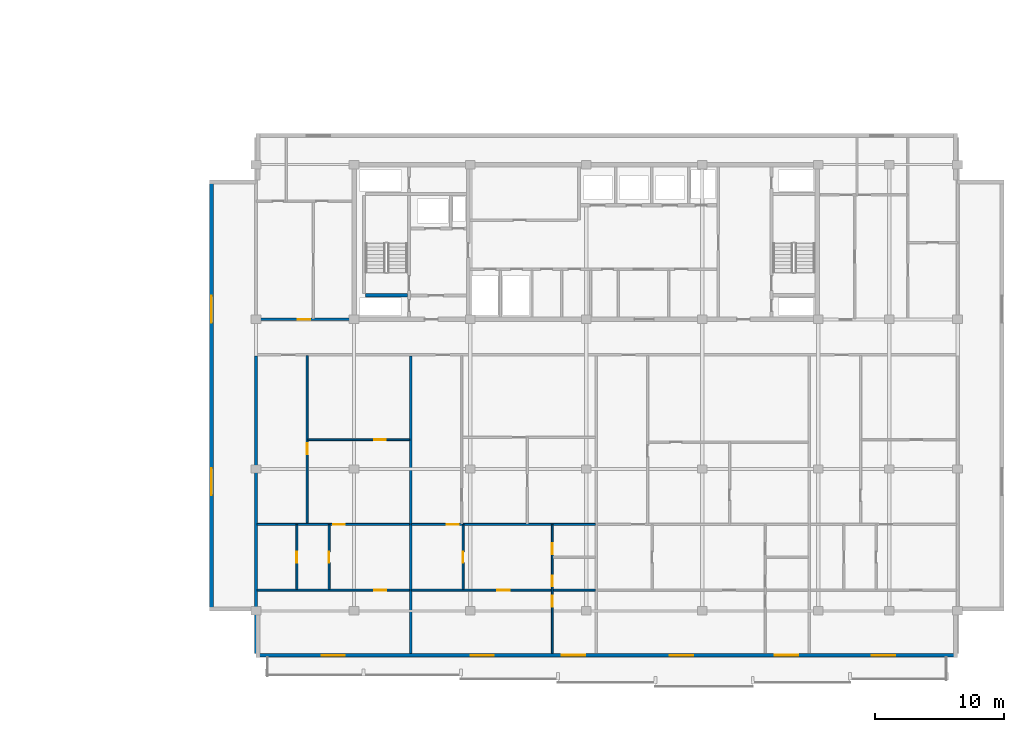
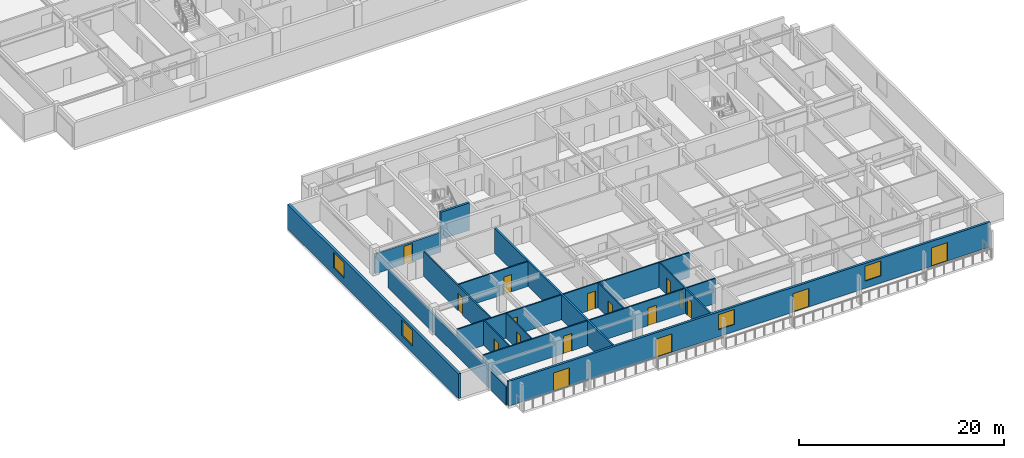
# One storey, part 4 of 21: 17 doors, 16 walls, 4 windows, 21 openings.
"""IFC4 building model written with IfcOpenShell, lengths in metres."""

from ifc_helpers import new_model, si_unit, direction, frame, frame_2d, origin, place, context, subcontext, project, spatial, rectangle, extrude, material, layer, layer_set, type_object, element, fill, save


model = new_model("IFC4")

# Units and contexts
model_context = context("Model", 3, precision=1e-05, world=origin(), true_north=direction((0.0, 1.0)))
body_context = subcontext(model_context, "Body", "Model", "MODEL_VIEW")
ifc_project = project(units=[si_unit("LENGTHUNIT", "METRE"), si_unit("AREAUNIT", "SQUARE_METRE"), si_unit("VOLUMEUNIT", "CUBIC_METRE"), si_unit("PLANEANGLEUNIT", "RADIAN"), si_unit("MASSUNIT", "GRAM", prefix="KILO")], contexts=[model_context])

# Site, building, storey
site_placement = place(None, origin())
site = spatial("IfcSite", under=ifc_project, at=site_placement, CompositionType="ELEMENT")
building_placement = place(site_placement, origin())
building = spatial("IfcBuilding", under=site, at=building_placement, Name="Korimba Cascade Residences", CompositionType="ELEMENT")
storey_placement = place(building_placement, frame((0.0, 0.0, 188.10009765625)))
storey = spatial("IfcBuildingStorey", under=building, at=storey_placement, Name="L54", CompositionType="ELEMENT", Elevation=188.10009765625)

# Wall, openings, doors, windows
ifc_material_1 = material(Name="Precast concrete C40/50", Category="concrete")
ifc_layer_1 = layer(ifc_material_1, 0.25)
ifc_layer_set_1 = layer_set([ifc_layer_1], Name="Precast concrete C40/50")
wall_type_1 = type_object("IfcWallType", Name="EW-LOG-250", PredefinedType="STANDARD", material=ifc_layer_set_1)
wall_1_placement = place(storey_placement, frame((74.5, -7.64990234375, 0.0), z_axis=(0.0, 0.0, 1.0), x_axis=(1.0, 0.0, 0.0)))
wall_1 = element("IfcWall", 1, at=wall_1_placement, inside=storey, type_object=wall_type_1, Name="L54 T2 Perimeter Stone Wall E00", PredefinedType="STANDARD", context=body_context, shape_type="SweptSolid", body=[
    extrude(rectangle(XDim=54.39990234375, YDim=0.25, at=frame_2d((27.199951171875, 0.0))), origin(), (0.0, 0.0, 1.0), 2.969970703125),
])
opening_1_placement = place(wall_1_placement, frame((5.091552734375, 0.0, 0.0)))
opening_1 = element("IfcOpeningElement", 2, at=opening_1_placement, cuts=wall_1, Name="Opening D-LG1", PredefinedType="OPENING", context=body_context, shape_type="SweptSolid", body=[
    extrude(rectangle(XDim=1.800048828125, YDim=2.199951171875, at=frame_2d((0.89990234375, 1.10009765625))), frame((0.0, 0.135009765625, 0.0), z_axis=(0.0, -1.0, 0.0), x_axis=(1.0, 0.0, 0.0)), (0.0, 0.0, 1.0), 0.27001953125),
])
opening_2_placement = place(wall_1_placement, frame((16.637451171875, 0.0, 0.0)))
opening_2 = element("IfcOpeningElement", 3, at=opening_2_placement, cuts=wall_1, Name="Opening D-LG1", PredefinedType="OPENING", context=body_context, shape_type="SweptSolid", body=[
    extrude(rectangle(XDim=1.800048828125, YDim=2.199951171875, at=frame_2d((0.89990234375, 1.10009765625))), frame((0.0, 0.135009765625, 0.0), z_axis=(0.0, -1.0, 0.0), x_axis=(1.0, 0.0, 0.0)), (0.0, 0.0, 1.0), 0.27001953125),
])
opening_3_placement = place(wall_1_placement, frame((23.7216796875, 0.0, 0.85009765625)))
opening_3 = element("IfcOpeningElement", 4, at=opening_3_placement, cuts=wall_1, Name="Opening W-02", PredefinedType="OPENING", context=body_context, shape_type="SweptSolid", body=[
    extrude(rectangle(XDim=1.800048828125, YDim=1.800048828125, at=frame_2d((0.89990234375, 0.89990234375))), frame((0.0, 0.135009765625, 0.0), z_axis=(0.0, -1.0, 0.0), x_axis=(1.0, 0.0, 0.0)), (0.0, 0.0, 1.0), 0.27001953125),
])
opening_4_placement = place(wall_1_placement, frame((32.099853515625, 0.0, 0.0)))
opening_4 = element("IfcOpeningElement", 5, at=opening_4_placement, cuts=wall_1, Name="Opening D-LG1", PredefinedType="OPENING", context=body_context, shape_type="SweptSolid", body=[
    extrude(rectangle(XDim=1.800048828125, YDim=2.199951171875, at=frame_2d((0.89990234375, 1.10009765625))), frame((0.0, 0.135009765625, 0.0), z_axis=(0.0, -1.0, 0.0), x_axis=(1.0, 0.0, 0.0)), (0.0, 0.0, 1.0), 0.27001953125),
])
opening_5_placement = place(wall_1_placement, frame((40.23828125, 0.0, 0.85009765625)))
opening_5 = element("IfcOpeningElement", 6, at=opening_5_placement, cuts=wall_1, Name="Opening W-02", PredefinedType="OPENING", context=body_context, shape_type="SweptSolid", body=[
    extrude(rectangle(XDim=1.800048828125, YDim=1.800048828125, at=frame_2d((0.89990234375, 0.89990234375))), frame((0.0, 0.135009765625, 0.0), z_axis=(0.0, -1.0, 0.0), x_axis=(1.0, 0.0, 0.0)), (0.0, 0.0, 1.0), 0.27001953125),
])
opening_6_placement = place(wall_1_placement, frame((47.754150390625, 0.0, 0.0)))
opening_6 = element("IfcOpeningElement", 7, at=opening_6_placement, cuts=wall_1, Name="Opening D-LG1", PredefinedType="OPENING", context=body_context, shape_type="SweptSolid", body=[
    extrude(rectangle(XDim=1.800048828125, YDim=2.199951171875, at=frame_2d((0.89990234375, 1.10009765625))), frame((0.0, 0.135009765625, 0.0), z_axis=(0.0, -1.0, 0.0), x_axis=(1.0, 0.0, 0.0)), (0.0, 0.0, 1.0), 0.27001953125),
])
ifc_material_2 = material(Name="Glazed Aluminium Loggia Sliding Door", Category="aluminium")
door_type_1 = type_object("IfcDoorType", Name="DR-EXT-LOG", OperationType="NOTDEFINED", PredefinedType="DOOR", material=ifc_material_2)
door_1_placement = place(opening_1_placement, origin())
door_1 = element("IfcDoor", 8, at=door_1_placement, inside=storey, type_object=door_type_1, Name="L54 T2 Loggia Sliding Door 3", OperationType="SLIDING_TO_RIGHT", OverallHeight=2.199951171875, OverallWidth=1.800048828125, PredefinedType="DOOR", context=body_context, shape_type="SweptSolid", body=[
    extrude(rectangle(XDim=1.800048828125, YDim=2.199951171875, at=frame_2d((0.89990234375, 1.10009765625))), frame((0.0, 0.02490234375, 0.0), z_axis=(0.0, -1.0, 0.0), x_axis=(1.0, 0.0, 0.0)), (0.0, 0.0, 1.0), 0.050048828125),
])
fill(opening_1, door_1)
door_2_placement = place(opening_2_placement, origin())
door_2 = element("IfcDoor", 9, at=door_2_placement, inside=storey, type_object=door_type_1, Name="L54 T2 Loggia Sliding Door 4", OperationType="SLIDING_TO_RIGHT", OverallHeight=2.199951171875, OverallWidth=1.800048828125, PredefinedType="DOOR", context=body_context, shape_type="SweptSolid", body=[
    extrude(rectangle(XDim=1.800048828125, YDim=2.199951171875, at=frame_2d((0.89990234375, 1.10009765625))), frame((0.0, 0.02490234375, 0.0), z_axis=(0.0, -1.0, 0.0), x_axis=(1.0, 0.0, 0.0)), (0.0, 0.0, 1.0), 0.050048828125),
])
fill(opening_2, door_2)
door_3_placement = place(opening_4_placement, origin())
door_3 = element("IfcDoor", 10, at=door_3_placement, inside=storey, type_object=door_type_1, Name="L54 T2 Loggia Sliding Door 6", OperationType="SLIDING_TO_RIGHT", OverallHeight=2.199951171875, OverallWidth=1.800048828125, PredefinedType="DOOR", context=body_context, shape_type="SweptSolid", body=[
    extrude(rectangle(XDim=1.800048828125, YDim=2.199951171875, at=frame_2d((0.89990234375, 1.10009765625))), frame((0.0, 0.02490234375, 0.0), z_axis=(0.0, -1.0, 0.0), x_axis=(1.0, 0.0, 0.0)), (0.0, 0.0, 1.0), 0.050048828125),
])
fill(opening_4, door_3)
door_4_placement = place(opening_6_placement, origin())
door_4 = element("IfcDoor", 11, at=door_4_placement, inside=storey, type_object=door_type_1, Name="L54 T2 Loggia Sliding Door 8", OperationType="SLIDING_TO_RIGHT", OverallHeight=2.199951171875, OverallWidth=1.800048828125, PredefinedType="DOOR", context=body_context, shape_type="SweptSolid", body=[
    extrude(rectangle(XDim=1.800048828125, YDim=2.199951171875, at=frame_2d((0.89990234375, 1.10009765625))), frame((0.0, 0.02490234375, 0.0), z_axis=(0.0, -1.0, 0.0), x_axis=(1.0, 0.0, 0.0)), (0.0, 0.0, 1.0), 0.050048828125),
])
fill(opening_6, door_4)
ifc_material_3 = material(Name="Double-Glazed Aluminium Window", Category="aluminium")
window_type_1 = type_object("IfcWindowType", Name="WIN-BED-1800", PartitioningType="SINGLE_PANEL", PredefinedType="WINDOW", material=ifc_material_3)
window_1_placement = place(opening_3_placement, origin())
window_1 = element("IfcWindow", 12, at=window_1_placement, inside=storey, type_object=window_type_1, Name="L54 T2 South Facade Window 5", OverallHeight=1.800048828125, OverallWidth=1.800048828125, PartitioningType="SINGLE_PANEL", PredefinedType="WINDOW", context=body_context, shape_type="SweptSolid", body=[
    extrude(rectangle(XDim=1.800048828125, YDim=1.800048828125, at=frame_2d((0.89990234375, 0.89990234375))), frame((0.0, 0.030029296875, 0.0), z_axis=(0.0, -1.0, 0.0), x_axis=(1.0, 0.0, 0.0)), (0.0, 0.0, 1.0), 0.06005859375),
])
fill(opening_3, window_1)
window_2_placement = place(opening_5_placement, origin())
window_2 = element("IfcWindow", 13, at=window_2_placement, inside=storey, type_object=window_type_1, Name="L54 T2 South Facade Window 7", OverallHeight=1.800048828125, OverallWidth=1.800048828125, PartitioningType="SINGLE_PANEL", PredefinedType="WINDOW", context=body_context, shape_type="SweptSolid", body=[
    extrude(rectangle(XDim=1.800048828125, YDim=1.800048828125, at=frame_2d((0.89990234375, 0.89990234375))), frame((0.0, 0.030029296875, 0.0), z_axis=(0.0, -1.0, 0.0), x_axis=(1.0, 0.0, 0.0)), (0.0, 0.0, 1.0), 0.06005859375),
])
fill(opening_5, window_2)

# Wall, openings, windows
ifc_layer_2 = layer(ifc_material_1, 0.300048828125)
ifc_layer_set_2 = layer_set([ifc_layer_2], Name="Precast concrete C40/50")
wall_type_2 = type_object("IfcWallType", Name="EW-STONE-300", PredefinedType="STANDARD", material=ifc_layer_set_2)
wall_2_placement = place(storey_placement, frame((71.050048828125, 29.199951171875, 0.0), z_axis=(0.0, 0.0, 1.0), x_axis=(0.0, -1.0, 0.0)))
wall_2 = element("IfcWall", 14, at=wall_2_placement, inside=storey, type_object=wall_type_2, Name="L54 T2 Perimeter Stone Wall E09", PredefinedType="STANDARD", context=body_context, shape_type="SweptSolid", body=[
    extrude(rectangle(XDim=33.39990234375, YDim=0.300048828125, at=frame_2d((16.699951171875, 0.0))), origin(), (0.0, 0.0, 1.0), 2.969970703125),
])
opening_7_placement = place(wall_2_placement, frame((8.969970703125, 0.0, 0.85009765625)))
opening_7 = element("IfcOpeningElement", 15, at=opening_7_placement, cuts=wall_2, Name="Opening W-03", PredefinedType="OPENING", context=body_context, shape_type="SweptSolid", body=[
    extrude(rectangle(XDim=2.10009765625, YDim=1.85009765625, at=frame_2d((1.050048828125, 0.925048828125))), frame((0.0, 0.16015625, 0.0), z_axis=(0.0, -1.0, 0.0), x_axis=(1.0, 0.0, 0.0)), (0.0, 0.0, 1.0), 0.320068359375),
])
opening_8_placement = place(wall_2_placement, frame((22.330078125, 0.0, 0.85009765625)))
opening_8 = element("IfcOpeningElement", 16, at=opening_8_placement, cuts=wall_2, Name="Opening W-03", PredefinedType="OPENING", context=body_context, shape_type="SweptSolid", body=[
    extrude(rectangle(XDim=2.10009765625, YDim=1.85009765625, at=frame_2d((1.050048828125, 0.925048828125))), frame((0.0, 0.16015625, 0.0), z_axis=(0.0, -1.0, 0.0), x_axis=(1.0, 0.0, 0.0)), (0.0, 0.0, 1.0), 0.320068359375),
])
window_type_2 = type_object("IfcWindowType", Name="WIN-CRN-2100", PartitioningType="DOUBLE_PANEL_HORIZONTAL", PredefinedType="WINDOW", material=ifc_material_3)
window_3_placement = place(opening_7_placement, origin())
window_3 = element("IfcWindow", 17, at=window_3_placement, inside=storey, type_object=window_type_2, Name="L54 T2 End View Window 9.1", OverallHeight=1.85009765625, OverallWidth=2.10009765625, PartitioningType="DOUBLE_PANEL_HORIZONTAL", PredefinedType="WINDOW", context=body_context, shape_type="SweptSolid", body=[
    extrude(rectangle(XDim=2.10009765625, YDim=1.85009765625, at=frame_2d((1.050048828125, 0.925048828125))), frame((0.0, 0.030029296875, 0.0), z_axis=(0.0, -1.0, 0.0), x_axis=(1.0, 0.0, 0.0)), (0.0, 0.0, 1.0), 0.06005859375),
])
fill(opening_7, window_3)
window_4_placement = place(opening_8_placement, origin())
window_4 = element("IfcWindow", 18, at=window_4_placement, inside=storey, type_object=window_type_2, Name="L54 T2 End View Window 9.2", OverallHeight=1.85009765625, OverallWidth=2.10009765625, PartitioningType="DOUBLE_PANEL_HORIZONTAL", PredefinedType="WINDOW", context=body_context, shape_type="SweptSolid", body=[
    extrude(rectangle(XDim=2.10009765625, YDim=1.85009765625, at=frame_2d((1.050048828125, 0.925048828125))), frame((0.0, 0.030029296875, 0.0), z_axis=(0.0, -1.0, 0.0), x_axis=(1.0, 0.0, 0.0)), (0.0, 0.0, 1.0), 0.06005859375),
])
fill(opening_8, window_4)

# Wall, opening, door
ifc_layer_3 = layer(ifc_material_1, 0.199951171875)
ifc_layer_set_3 = layer_set([ifc_layer_3], Name="Precast concrete C40/50")
wall_type_3 = type_object("IfcWallType", Name="WAL-IT-200", PredefinedType="PARTITIONING", material=ifc_layer_set_3)
wall_3_placement = place(storey_placement, frame((74.5, 18.39990234375, 0.0), z_axis=(0.0, 0.0, 1.0), x_axis=(1.0, 0.0, 0.0)))
wall_3 = element("IfcWall", 19, at=wall_3_placement, inside=storey, type_object=wall_type_3, Name="L54 Partition Wall WAL-L54-T2-FW-S", PredefinedType="PARTITIONING", context=body_context, shape_type="SweptSolid", body=[
    extrude(rectangle(XDim=7.449951171875, YDim=0.199951171875, at=frame_2d((3.72509765625, 0.0))), origin(), (0.0, 0.0, 1.0), 2.357666015625),
])
opening_9_placement = place(wall_3_placement, frame((3.25, 0.0, 0.0)))
opening_9 = element("IfcOpeningElement", 20, at=opening_9_placement, cuts=wall_3, Name="Opening D-UN1", PredefinedType="OPENING", context=body_context, shape_type="SweptSolid", body=[
    extrude(rectangle(XDim=0.949951171875, YDim=2.14990234375, at=frame_2d((0.47509765625, 1.074951171875))), frame((0.0, 0.10986328125, 0.0), z_axis=(0.0, -1.0, 0.0), x_axis=(1.0, 0.0, 0.0)), (0.0, 0.0, 1.0), 0.219970703125),
])
ifc_material_4 = material(Name="Fire-Rated Hardwood Apartment Entrance Door", Category="wood")
door_type_2 = type_object("IfcDoorType", Name="DR-FD60-950", OperationType="NOTDEFINED", PredefinedType="DOOR", material=ifc_material_4)
door_5_placement = place(opening_9_placement, origin())
door_5 = element("IfcDoor", 21, at=door_5_placement, inside=storey, type_object=door_type_2, Name="L54-T2-FW Entrance Door", OperationType="SINGLE_SWING_LEFT", OverallHeight=2.14990234375, OverallWidth=0.949951171875, PredefinedType="DOOR", context=body_context, shape_type="SweptSolid", body=[
    extrude(rectangle(XDim=0.949951171875, YDim=2.14990234375, at=frame_2d((0.47509765625, 1.074951171875))), frame((0.0, 0.02490234375, 0.0), z_axis=(0.0, -1.0, 0.0), x_axis=(1.0, 0.0, 0.0)), (0.0, 0.0, 1.0), 0.050048828125),
])
fill(opening_9, door_5)

# Walls
wall_4_placement = place(storey_placement, frame((74.5, -7.5, 0.0), z_axis=(0.0, 0.0, 1.0), x_axis=(0.0, 1.0, 0.0)))
element("IfcWall", 22, at=wall_4_placement, inside=storey, type_object=wall_type_3, Name="L54 Partition Wall WAL-L54-T2-BNDWL", PredefinedType="PARTITIONING", context=body_context, shape_type="SweptSolid", body=[
    extrude(rectangle(XDim=23.070068359375, YDim=0.199951171875, at=frame_2d((11.53515625, 0.0))), origin(), (0.0, 0.0, 1.0), 2.2001953125),
])
wall_5_placement = place(storey_placement, frame((86.4833984375, -7.5, 0.0), z_axis=(0.0, 0.0, 1.0), x_axis=(0.0, 1.0, 0.0)))
element("IfcWall", 23, at=wall_5_placement, inside=storey, type_object=wall_type_3, Name="L54 Partition Wall WAL-L54-T2-DEM-1", PredefinedType="PARTITIONING", context=body_context, shape_type="SweptSolid", body=[
    extrude(rectangle(XDim=23.070068359375, YDim=0.199951171875, at=frame_2d((11.53515625, 0.0))), origin(), (0.0, 0.0, 1.0), 2.969970703125),
])

# Wall, opening, door
ifc_material_5 = material(Name="Insulated Acoustic Stud Partition", Category="gypsum")
ifc_layer_4 = layer(ifc_material_5, 0.14990234375)
ifc_layer_set_4 = layer_set([ifc_layer_4], Name="Insulated Acoustic Stud Partition")
wall_type_4 = type_object("IfcWallType", Name="WAL-PART-150", PredefinedType="PARTITIONING", material=ifc_layer_set_4)
wall_6_placement = place(storey_placement, frame((78.530029296875, 9.06494140625, 0.0), z_axis=(0.0, 0.0, 1.0), x_axis=(1.0, 0.0, 0.0)))
wall_6 = element("IfcWall", 24, at=wall_6_placement, inside=storey, type_object=wall_type_4, Name="L54 Partition Wall WAL-L54-T2-U01-FMH", PredefinedType="PARTITIONING", context=body_context, shape_type="SweptSolid", body=[
    extrude(rectangle(XDim=7.873291015625, YDim=0.14990234375, at=frame_2d((3.9365234375, 0.0))), origin(), (0.0, 0.0, 1.0), 2.969970703125),
])
opening_10_placement = place(wall_6_placement, frame((5.1328125, 0.0, 0.0)))
opening_10 = element("IfcOpeningElement", 25, at=opening_10_placement, cuts=wall_6, Name="Opening D-IN2", PredefinedType="OPENING", context=body_context, shape_type="SweptSolid", body=[
    extrude(rectangle(XDim=0.8798828125, YDim=2.06005859375, at=frame_2d((0.43994140625, 1.030029296875))), frame((0.0, 0.0849609375, 0.0), z_axis=(0.0, -1.0, 0.0), x_axis=(1.0, 0.0, 0.0)), (0.0, 0.0, 1.0), 0.169921875),
])
ifc_material_6 = material(Name="Acoustic Timber Bedroom Door", Category="wood")
door_type_3 = type_object("IfcDoorType", Name="DR-INT-880", OperationType="NOTDEFINED", PredefinedType="DOOR", material=ifc_material_6)
door_6_placement = place(opening_10_placement, origin())
door_6 = element("IfcDoor", 26, at=door_6_placement, inside=storey, type_object=door_type_3, Name="L54-T2-U01 Library Salon Door", OperationType="SINGLE_SWING_RIGHT", OverallHeight=2.06005859375, OverallWidth=0.8798828125, PredefinedType="DOOR", context=body_context, shape_type="SweptSolid", body=[
    extrude(rectangle(XDim=0.8798828125, YDim=2.06005859375, at=frame_2d((0.43994140625, 1.030029296875))), frame((0.0, 0.02490234375, 0.0), z_axis=(0.0, -1.0, 0.0), x_axis=(1.0, 0.0, 0.0)), (0.0, 0.0, 1.0), 0.050048828125),
])
fill(opening_10, door_6)

wall_7_placement = place(storey_placement, frame((78.469970703125, 2.5400390625, 0.0), z_axis=(0.0, 0.0, 1.0), x_axis=(0.0, 1.0, 0.0)))
wall_7 = element("IfcWall", 27, at=wall_7_placement, inside=storey, type_object=wall_type_4, Name="L54 Partition Wall WAL-L54-T2-U01-FV", PredefinedType="PARTITIONING", context=body_context, shape_type="SweptSolid", body=[
    extrude(rectangle(XDim=13.050048828125, YDim=0.14990234375, at=frame_2d((6.52490234375, 0.0))), origin(), (0.0, 0.0, 1.0), 2.969970703125),
])
opening_11_placement = place(wall_7_placement, frame((5.39501953125, 0.0, 0.0)))
opening_11 = element("IfcOpeningElement", 28, at=opening_11_placement, cuts=wall_7, Name="Opening D-IN2", PredefinedType="OPENING", context=body_context, shape_type="SweptSolid", body=[
    extrude(rectangle(XDim=0.8798828125, YDim=2.06005859375, at=frame_2d((0.43994140625, 1.030029296875))), frame((0.0, 0.0849609375, 0.0), z_axis=(0.0, -1.0, 0.0), x_axis=(1.0, 0.0, 0.0)), (0.0, 0.0, 1.0), 0.169921875),
])
door_7_placement = place(opening_11_placement, origin())
door_7 = element("IfcDoor", 29, at=door_7_placement, inside=storey, type_object=door_type_3, Name="L54-T2-U01 Media Lounge Door", OperationType="SINGLE_SWING_LEFT", OverallHeight=2.06005859375, OverallWidth=0.8798828125, PredefinedType="DOOR", context=body_context, shape_type="SweptSolid", body=[
    extrude(rectangle(XDim=0.8798828125, YDim=2.06005859375, at=frame_2d((0.43994140625, 1.030029296875))), frame((0.0, 0.02490234375, 0.0), z_axis=(0.0, -1.0, 0.0), x_axis=(1.0, 0.0, 0.0)), (0.0, 0.0, 1.0), 0.050048828125),
])
fill(opening_11, door_7)

wall_8_placement = place(storey_placement, frame((77.663330078125, -2.5400390625, 0.0), z_axis=(0.0, 0.0, 1.0), x_axis=(0.0, 1.0, 0.0)))
wall_8 = element("IfcWall", 30, at=wall_8_placement, inside=storey, type_object=wall_type_4, Name="L54 Partition Wall WAL-L54-T2-U01-CLS", PredefinedType="PARTITIONING", context=body_context, shape_type="SweptSolid", body=[
    extrude(rectangle(XDim=5.0, YDim=0.14990234375, at=frame_2d((2.5, 0.0))), origin(), (0.0, 0.0, 1.0), 2.969970703125),
])
opening_12_placement = place(wall_8_placement, frame((2.080078125, 0.0, 0.0)))
opening_12 = element("IfcOpeningElement", 31, at=opening_12_placement, cuts=wall_8, Name="Opening D-BT1", PredefinedType="OPENING", context=body_context, shape_type="SweptSolid", body=[
    extrude(rectangle(XDim=0.840087890625, YDim=2.0400390625, at=frame_2d((0.419921875, 1.02001953125))), frame((0.0, 0.0849609375, 0.0), z_axis=(0.0, -1.0, 0.0), x_axis=(1.0, 0.0, 0.0)), (0.0, 0.0, 1.0), 0.169921875),
])
ifc_material_7 = material(Name="Moisture-Resistant Bathroom Timber Door", Category="wood")
door_type_4 = type_object("IfcDoorType", Name="DR-INT-850", OperationType="NOTDEFINED", PredefinedType="DOOR", material=ifc_material_7)
door_8_placement = place(opening_12_placement, origin())
door_8 = element("IfcDoor", 32, at=door_8_placement, inside=storey, type_object=door_type_4, Name="L54-T2-U01 Closet Door", OperationType="SINGLE_SWING_RIGHT", OverallHeight=2.0400390625, OverallWidth=0.840087890625, PredefinedType="DOOR", context=body_context, shape_type="SweptSolid", body=[
    extrude(rectangle(XDim=0.840087890625, YDim=2.0400390625, at=frame_2d((0.419921875, 1.02001953125))), frame((0.0, 0.02490234375, 0.0), z_axis=(0.0, -1.0, 0.0), x_axis=(1.0, 0.0, 0.0)), (0.0, 0.0, 1.0), 0.050048828125),
])
fill(opening_12, door_8)

wall_9_placement = place(storey_placement, frame((80.163330078125, -2.5400390625, 0.0), z_axis=(0.0, 0.0, 1.0), x_axis=(0.0, 1.0, 0.0)))
wall_9 = element("IfcWall", 33, at=wall_9_placement, inside=storey, type_object=wall_type_4, Name="L54 Partition Wall WAL-L54-T2-U01-BM", PredefinedType="PARTITIONING", context=body_context, shape_type="SweptSolid", body=[
    extrude(rectangle(XDim=5.0, YDim=0.14990234375, at=frame_2d((2.5, 0.0))), origin(), (0.0, 0.0, 1.0), 2.969970703125),
])
opening_13_placement = place(wall_9_placement, frame((2.080078125, 0.0, 0.0)))
opening_13 = element("IfcOpeningElement", 34, at=opening_13_placement, cuts=wall_9, Name="Opening D-BT1", PredefinedType="OPENING", context=body_context, shape_type="SweptSolid", body=[
    extrude(rectangle(XDim=0.840087890625, YDim=2.0400390625, at=frame_2d((0.419921875, 1.02001953125))), frame((0.0, 0.0849609375, 0.0), z_axis=(0.0, -1.0, 0.0), x_axis=(1.0, 0.0, 0.0)), (0.0, 0.0, 1.0), 0.169921875),
])
door_9_placement = place(opening_13_placement, origin())
door_9 = element("IfcDoor", 35, at=door_9_placement, inside=storey, type_object=door_type_4, Name="L54-T2-U01 Bathroom Door", OperationType="SINGLE_SWING_LEFT", OverallHeight=2.0400390625, OverallWidth=0.840087890625, PredefinedType="DOOR", context=body_context, shape_type="SweptSolid", body=[
    extrude(rectangle(XDim=0.840087890625, YDim=2.0400390625, at=frame_2d((0.419921875, 1.02001953125))), frame((0.0, 0.02490234375, 0.0), z_axis=(0.0, -1.0, 0.0), x_axis=(1.0, 0.0, 0.0)), (0.0, 0.0, 1.0), 0.050048828125),
])
fill(opening_13, door_9)

wall_10_placement = place(storey_placement, frame((74.580078125, 2.5, 0.0), z_axis=(0.0, 0.0, 1.0), x_axis=(1.0, 0.0, 0.0)))
wall_10 = element("IfcWall", 36, at=wall_10_placement, inside=storey, type_object=wall_type_4, Name="L54 Partition Wall WAL-L54-T2-U01-MW", PredefinedType="PARTITIONING", context=body_context, shape_type="SweptSolid", body=[
    extrude(rectangle(XDim=11.8232421875, YDim=0.14990234375, at=frame_2d((5.91162109375, 0.0))), origin(), (0.0, 0.0, 1.0), 2.969970703125),
])
opening_14_placement = place(wall_10_placement, frame((5.8994140625, 0.0, 0.0)))
opening_14 = element("IfcOpeningElement", 37, at=opening_14_placement, cuts=wall_10, Name="Opening D-IN1", PredefinedType="OPENING", context=body_context, shape_type="SweptSolid", body=[
    extrude(rectangle(XDim=0.919921875, YDim=2.080078125, at=frame_2d((0.4599609375, 1.0400390625))), frame((0.0, 0.0849609375, 0.0), z_axis=(0.0, -1.0, 0.0), x_axis=(1.0, 0.0, 0.0)), (0.0, 0.0, 1.0), 0.169921875),
])
ifc_material_8 = material(Name="Acoustic Timber Living Door", Category="wood")
door_type_5 = type_object("IfcDoorType", Name="DR-INT-920", OperationType="NOTDEFINED", PredefinedType="DOOR", material=ifc_material_8)
door_10_placement = place(opening_14_placement, origin())
door_10 = element("IfcDoor", 38, at=door_10_placement, inside=storey, type_object=door_type_5, Name="L54-T2-U01 Studio Kitchen Door", OperationType="SINGLE_SWING_RIGHT", OverallHeight=2.080078125, OverallWidth=0.919921875, PredefinedType="DOOR", context=body_context, shape_type="SweptSolid", body=[
    extrude(rectangle(XDim=0.919921875, YDim=2.080078125, at=frame_2d((0.4599609375, 1.0400390625))), frame((0.0, 0.02490234375, 0.0), z_axis=(0.0, -1.0, 0.0), x_axis=(1.0, 0.0, 0.0)), (0.0, 0.0, 1.0), 0.050048828125),
])
fill(opening_14, door_10)

wall_11_placement = place(storey_placement, frame((74.580078125, -2.60009765625, 0.0), z_axis=(0.0, 0.0, 1.0), x_axis=(1.0, 0.0, 0.0)))
wall_11 = element("IfcWall", 39, at=wall_11_placement, inside=storey, type_object=wall_type_4, Name="L54 Partition Wall WAL-L54-T2-U01-HZ", PredefinedType="PARTITIONING", context=body_context, shape_type="SweptSolid", body=[
    extrude(rectangle(XDim=11.8232421875, YDim=0.14990234375, at=frame_2d((5.91162109375, 0.0))), origin(), (0.0, 0.0, 1.0), 2.969970703125),
])
opening_15_placement = place(wall_11_placement, frame((9.083740234375, 0.0, 0.0)))
opening_15 = element("IfcOpeningElement", 40, at=opening_15_placement, cuts=wall_11, Name="Opening D-IN1", PredefinedType="OPENING", context=body_context, shape_type="SweptSolid", body=[
    extrude(rectangle(XDim=0.919921875, YDim=2.080078125, at=frame_2d((0.4599609375, 1.0400390625))), frame((0.0, 0.0849609375, 0.0), z_axis=(0.0, -1.0, 0.0), x_axis=(1.0, 0.0, 0.0)), (0.0, 0.0, 1.0), 0.169921875),
])
door_11_placement = place(opening_15_placement, origin())
door_11 = element("IfcDoor", 41, at=door_11_placement, inside=storey, type_object=door_type_5, Name="L54-T2-U01 Studio Door", OperationType="SINGLE_SWING_LEFT", OverallHeight=2.080078125, OverallWidth=0.919921875, PredefinedType="DOOR", context=body_context, shape_type="SweptSolid", body=[
    extrude(rectangle(XDim=0.919921875, YDim=2.080078125, at=frame_2d((0.4599609375, 1.0400390625))), frame((0.0, 0.02490234375, 0.0), z_axis=(0.0, -1.0, 0.0), x_axis=(1.0, 0.0, 0.0)), (0.0, 0.0, 1.0), 0.050048828125),
])
fill(opening_15, door_11)

wall_12_placement = place(storey_placement, frame((90.55322265625, -2.5400390625, 0.0), z_axis=(0.0, 0.0, 1.0), x_axis=(0.0, 1.0, 0.0)))
wall_12 = element("IfcWall", 42, at=wall_12_placement, inside=storey, type_object=wall_type_4, Name="L54 Partition Wall WAL-L54-T2-U02-VDIN", PredefinedType="PARTITIONING", context=body_context, shape_type="SweptSolid", body=[
    extrude(rectangle(XDim=5.0, YDim=0.14990234375, at=frame_2d((2.5, 0.0))), origin(), (0.0, 0.0, 1.0), 2.969970703125),
])
opening_16_placement = place(wall_12_placement, frame((2.06005859375, 0.0, 0.0)))
opening_16 = element("IfcOpeningElement", 43, at=opening_16_placement, cuts=wall_12, Name="Opening D-IN2", PredefinedType="OPENING", context=body_context, shape_type="SweptSolid", body=[
    extrude(rectangle(XDim=0.8798828125, YDim=2.06005859375, at=frame_2d((0.43994140625, 1.030029296875))), frame((0.0, 0.0849609375, 0.0), z_axis=(0.0, -1.0, 0.0), x_axis=(1.0, 0.0, 0.0)), (0.0, 0.0, 1.0), 0.169921875),
])
door_12_placement = place(opening_16_placement, origin())
door_12 = element("IfcDoor", 44, at=door_12_placement, inside=storey, type_object=door_type_3, Name="L54-T2-U02 Dining Room Door", OperationType="SINGLE_SWING_LEFT", OverallHeight=2.06005859375, OverallWidth=0.8798828125, PredefinedType="DOOR", context=body_context, shape_type="SweptSolid", body=[
    extrude(rectangle(XDim=0.8798828125, YDim=2.06005859375, at=frame_2d((0.43994140625, 1.030029296875))), frame((0.0, 0.02490234375, 0.0), z_axis=(0.0, -1.0, 0.0), x_axis=(1.0, 0.0, 0.0)), (0.0, 0.0, 1.0), 0.050048828125),
])
fill(opening_16, door_12)

# Wall, openings, doors
wall_13_placement = place(storey_placement, frame((97.4716796875, -7.5, 0.0), z_axis=(0.0, 0.0, 1.0), x_axis=(0.0, 1.0, 0.0)))
wall_13 = element("IfcWall", 45, at=wall_13_placement, inside=storey, type_object=wall_type_4, Name="L54 Partition Wall WAL-L54-T2-U02-V1", PredefinedType="PARTITIONING", context=body_context, shape_type="SweptSolid", body=[
    extrude(rectangle(XDim=9.9599609375, YDim=0.14990234375, at=frame_2d((4.97998046875, 0.0))), origin(), (0.0, 0.0, 1.0), 2.969970703125),
])
opening_17_placement = place(wall_13_placement, frame((5.199951171875, 0.0, 0.0)))
opening_17 = element("IfcOpeningElement", 46, at=opening_17_placement, cuts=wall_13, Name="Opening D-BT1", PredefinedType="OPENING", context=body_context, shape_type="SweptSolid", body=[
    extrude(rectangle(XDim=0.840087890625, YDim=2.0400390625, at=frame_2d((0.419921875, 1.02001953125))), frame((0.0, 0.0849609375, 0.0), z_axis=(0.0, -1.0, 0.0), x_axis=(1.0, 0.0, 0.0)), (0.0, 0.0, 1.0), 0.169921875),
])
opening_18_placement = place(wall_13_placement, frame((7.689697265625, 0.0, 0.0)))
opening_18 = element("IfcOpeningElement", 47, at=opening_18_placement, cuts=wall_13, Name="Opening D-BT1", PredefinedType="OPENING", context=body_context, shape_type="SweptSolid", body=[
    extrude(rectangle(XDim=0.840087890625, YDim=2.0400390625, at=frame_2d((0.419921875, 1.02001953125))), frame((0.0, 0.0849609375, 0.0), z_axis=(0.0, -1.0, 0.0), x_axis=(1.0, 0.0, 0.0)), (0.0, 0.0, 1.0), 0.169921875),
])
opening_19_placement = place(wall_13_placement, frame((3.60009765625, 0.0, 0.0)))
opening_19 = element("IfcOpeningElement", 48, at=opening_19_placement, cuts=wall_13, Name="Opening D-IN2", PredefinedType="OPENING", context=body_context, shape_type="SweptSolid", body=[
    extrude(rectangle(XDim=0.8798828125, YDim=2.06005859375, at=frame_2d((0.43994140625, 1.030029296875))), frame((0.0, 0.0849609375, 0.0), z_axis=(0.0, -1.0, 0.0), x_axis=(1.0, 0.0, 0.0)), (0.0, 0.0, 1.0), 0.169921875),
])
door_13_placement = place(opening_17_placement, origin())
door_13 = element("IfcDoor", 49, at=door_13_placement, inside=storey, type_object=door_type_4, Name="L54-T2-U02 Bathroom Door", OperationType="SINGLE_SWING_RIGHT", OverallHeight=2.0400390625, OverallWidth=0.840087890625, PredefinedType="DOOR", context=body_context, shape_type="SweptSolid", body=[
    extrude(rectangle(XDim=0.840087890625, YDim=2.0400390625, at=frame_2d((0.419921875, 1.02001953125))), frame((0.0, 0.02490234375, 0.0), z_axis=(0.0, -1.0, 0.0), x_axis=(1.0, 0.0, 0.0)), (0.0, 0.0, 1.0), 0.050048828125),
])
fill(opening_17, door_13)
door_14_placement = place(opening_18_placement, origin())
door_14 = element("IfcDoor", 50, at=door_14_placement, inside=storey, type_object=door_type_4, Name="L54-T2-U02 Laundry Door", OperationType="SINGLE_SWING_LEFT", OverallHeight=2.0400390625, OverallWidth=0.840087890625, PredefinedType="DOOR", context=body_context, shape_type="SweptSolid", body=[
    extrude(rectangle(XDim=0.840087890625, YDim=2.0400390625, at=frame_2d((0.419921875, 1.02001953125))), frame((0.0, 0.02490234375, 0.0), z_axis=(0.0, -1.0, 0.0), x_axis=(1.0, 0.0, 0.0)), (0.0, 0.0, 1.0), 0.050048828125),
])
fill(opening_18, door_14)
door_15_placement = place(opening_19_placement, origin())
door_15 = element("IfcDoor", 51, at=door_15_placement, inside=storey, type_object=door_type_3, Name="L54-T2-U02 Bedroom 1 Door", OperationType="SINGLE_SWING_RIGHT", OverallHeight=2.06005859375, OverallWidth=0.8798828125, PredefinedType="DOOR", context=body_context, shape_type="SweptSolid", body=[
    extrude(rectangle(XDim=0.8798828125, YDim=2.06005859375, at=frame_2d((0.43994140625, 1.030029296875))), frame((0.0, 0.02490234375, 0.0), z_axis=(0.0, -1.0, 0.0), x_axis=(1.0, 0.0, 0.0)), (0.0, 0.0, 1.0), 0.050048828125),
])
fill(opening_19, door_15)

# Wall, opening, door
wall_14_placement = place(storey_placement, frame((86.563232421875, 2.5, 0.0), z_axis=(0.0, 0.0, 1.0), x_axis=(1.0, 0.0, 0.0)))
wall_14 = element("IfcWall", 52, at=wall_14_placement, inside=storey, type_object=wall_type_4, Name="L54 Partition Wall WAL-L54-T2-U02-MW", PredefinedType="PARTITIONING", context=body_context, shape_type="SweptSolid", body=[
    extrude(rectangle(XDim=14.248291015625, YDim=0.14990234375, at=frame_2d((7.1240234375, 0.0))), origin(), (0.0, 0.0, 1.0), 2.969970703125),
])
opening_20_placement = place(wall_14_placement, frame((2.719970703125, 0.0, 0.0)))
opening_20 = element("IfcOpeningElement", 53, at=opening_20_placement, cuts=wall_14, Name="Opening D-IN1", PredefinedType="OPENING", context=body_context, shape_type="SweptSolid", body=[
    extrude(rectangle(XDim=0.919921875, YDim=2.080078125, at=frame_2d((0.4599609375, 1.0400390625))), frame((0.0, 0.0849609375, 0.0), z_axis=(0.0, -1.0, 0.0), x_axis=(1.0, 0.0, 0.0)), (0.0, 0.0, 1.0), 0.169921875),
])
door_16_placement = place(opening_20_placement, origin())
door_16 = element("IfcDoor", 54, at=door_16_placement, inside=storey, type_object=door_type_5, Name="L54-T2-U02 Kitchen Archway Door", OperationType="SINGLE_SWING_LEFT", OverallHeight=2.080078125, OverallWidth=0.919921875, PredefinedType="DOOR", context=body_context, shape_type="SweptSolid", body=[
    extrude(rectangle(XDim=0.919921875, YDim=2.080078125, at=frame_2d((0.4599609375, 1.0400390625))), frame((0.0, 0.02490234375, 0.0), z_axis=(0.0, -1.0, 0.0), x_axis=(1.0, 0.0, 0.0)), (0.0, 0.0, 1.0), 0.050048828125),
])
fill(opening_20, door_16)

wall_15_placement = place(storey_placement, frame((86.563232421875, -2.60009765625, 0.0), z_axis=(0.0, 0.0, 1.0), x_axis=(1.0, 0.0, 0.0)))
wall_15 = element("IfcWall", 55, at=wall_15_placement, inside=storey, type_object=wall_type_4, Name="L54 Partition Wall WAL-L54-T2-U02-HZ", PredefinedType="PARTITIONING", context=body_context, shape_type="SweptSolid", body=[
    extrude(rectangle(XDim=14.248291015625, YDim=0.14990234375, at=frame_2d((7.1240234375, 0.0))), origin(), (0.0, 0.0, 1.0), 2.969970703125),
])
opening_21_placement = place(wall_15_placement, frame((6.654296875, 0.0, 0.0)))
opening_21 = element("IfcOpeningElement", 56, at=opening_21_placement, cuts=wall_15, Name="Opening D-IN0", PredefinedType="OPENING", context=body_context, shape_type="SweptSolid", body=[
    extrude(rectangle(XDim=0.93994140625, YDim=2.10009765625, at=frame_2d((0.469970703125, 1.050048828125))), frame((0.0, 0.0849609375, 0.0), z_axis=(0.0, -1.0, 0.0), x_axis=(1.0, 0.0, 0.0)), (0.0, 0.0, 1.0), 0.169921875),
])
ifc_material_9 = material(Name="Acoustic Timber Living Archway Door", Category="wood")
door_type_6 = type_object("IfcDoorType", Name="DR-INT-950", OperationType="NOTDEFINED", PredefinedType="DOOR", material=ifc_material_9)
door_17_placement = place(opening_21_placement, origin())
door_17 = element("IfcDoor", 57, at=door_17_placement, inside=storey, type_object=door_type_6, Name="L54-T2-U02 Living Archway Door", OperationType="SINGLE_SWING_RIGHT", OverallHeight=2.10009765625, OverallWidth=0.93994140625, PredefinedType="DOOR", context=body_context, shape_type="SweptSolid", body=[
    extrude(rectangle(XDim=0.93994140625, YDim=2.10009765625, at=frame_2d((0.469970703125, 1.050048828125))), frame((0.0, 0.02490234375, 0.0), z_axis=(0.0, -1.0, 0.0), x_axis=(1.0, 0.0, 0.0)), (0.0, 0.0, 1.0), 0.050048828125),
])
fill(opening_21, door_17)

# Wall
ifc_material_10 = material(Name="Concrete C50/60", Category="concrete")
ifc_layer_5 = layer(ifc_material_10, 0.25)
ifc_layer_set_5 = layer_set([ifc_layer_5], Name="Concrete C50/60")
wall_type_5 = type_object("IfcWallType", Name="WAL-SHAFT-250", PredefinedType="SHEAR", material=ifc_layer_set_5)
wall_16_placement = place(storey_placement, frame((83.0, 20.27490234375, 0.0), z_axis=(0.0, 0.0, 1.0), x_axis=(1.0, 0.0, 0.0)))
element("IfcWall", 58, at=wall_16_placement, inside=storey, type_object=wall_type_5, Name="L54 Core Shear Wall CW-L54-T2-STE1S", PredefinedType="SHEAR", context=body_context, shape_type="SweptSolid", body=[
    extrude(rectangle(XDim=3.239990234375, YDim=0.25, at=frame_2d((1.6201171875, 0.0))), origin(), (0.0, 0.0, 1.0), 3.25),
])

save(model, "model.ifc")
